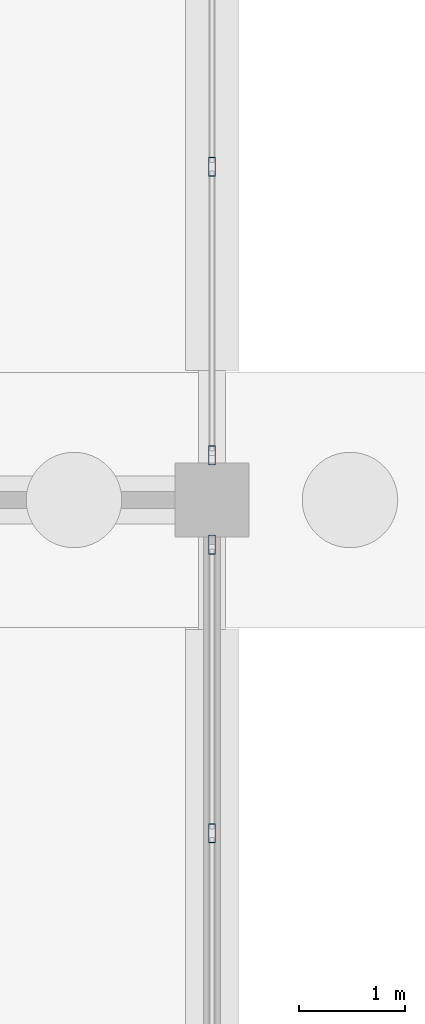
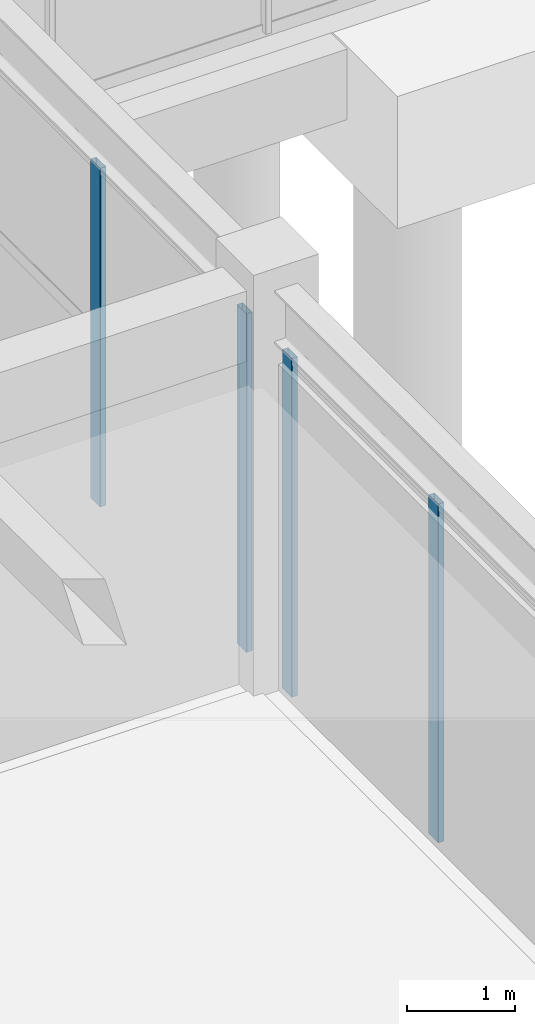
# One storey, part 52 of 147: 4 members, 2 elements without a shape of their own.
"""IFC4 building model written with IfcOpenShell, lengths in metres."""

from ifc_helpers import new_model, si_unit, direction, frame, origin, origin_2d, place, context, subcontext, project, spatial, hollow_rectangle, extrude, material, material_profile, profile_set, type_object, element, aggregate, save


model = new_model("IFC4")

# Units and contexts
model_context = context("Model", 3, precision=1e-05, world=origin(), true_north=direction((0.0, 1.0)))
body_context = subcontext(model_context, "Body", "Model", "MODEL_VIEW")
ifc_project = project(units=[si_unit("LENGTHUNIT", "METRE"), si_unit("AREAUNIT", "SQUARE_METRE"), si_unit("VOLUMEUNIT", "CUBIC_METRE"), si_unit("PLANEANGLEUNIT", "RADIAN"), si_unit("MASSUNIT", "GRAM", prefix="KILO")], contexts=[model_context])

# Site, building, storey
site_placement = place(None, origin())
site = spatial("IfcSite", under=ifc_project, at=site_placement, CompositionType="ELEMENT")
building_placement = place(site_placement, origin())
building = spatial("IfcBuilding", under=site, at=building_placement, Name="Varnabhumi Central Station", CompositionType="ELEMENT")
storey_placement = place(building_placement, origin())
storey = spatial("IfcBuildingStorey", under=building, at=storey_placement, Name="L00", CompositionType="ELEMENT", Elevation=0.0)

# Curtain wall, members
ifc_material = material(Name="Anodised aluminium 6063-T6", Category="aluminium")
curtain_wall_type = type_object("IfcCurtainWallType", Name="CW-PATIO-LOGGIA-L0", PredefinedType="NOTDEFINED", material=ifc_material)
curtain_wall_1_placement = place(storey_placement, origin())
curtain_wall_1 = element("IfcCurtainWall", 1, at=curtain_wall_1_placement, inside=storey, type_object=curtain_wall_type, Name="Curtain Wall CW-NP0E1", PredefinedType="NOTDEFINED")
ifc_material_profile = material_profile(ifc_material, hollow_rectangle(XDim=0.06494140625, YDim=0.179931640625, WallThickness=0.00390625, InnerFilletRadius=0.001953125, OuterFilletRadius=0.006103515625, at=origin_2d()), Name="Anodised aluminium 6063-T6", Category="aluminium")
ifc_profile_set = profile_set([ifc_material_profile], Name="Anodised aluminium 6063-T6")
member_type = type_object("IfcMemberType", Name="CW-MUL-180", PredefinedType="MULLION", material=ifc_profile_set)
member_1_placement = place(storey_placement, frame((48.0, 94.860107421875, 0.0), z_axis=(0.0, 0.0, 1.0), x_axis=(1.0, 0.0, 0.0)))
member_1 = element("IfcMember", 2, at=member_1_placement, type_object=member_type, Name="Curtain Wall Mullion CW-NP0E1-M3", PredefinedType="MULLION", context=body_context, shape_type="SweptSolid", body=[
    extrude(hollow_rectangle(XDim=0.06494140625, YDim=0.179931640625, WallThickness=0.00390625, InnerFilletRadius=0.001953125, OuterFilletRadius=0.006103515625, at=origin_2d()), origin(), (0.0, 0.0, 1.0), 3.840087890625),
])
member_2_placement = place(storey_placement, frame((48.0, 97.580078125, 0.0), z_axis=(0.0, 0.0, 1.0), x_axis=(1.0, 0.0, 0.0)))
member_2 = element("IfcMember", 3, at=member_2_placement, type_object=member_type, Name="Curtain Wall Mullion CW-NP0E1-M4", PredefinedType="MULLION", context=body_context, shape_type="SweptSolid", body=[
    extrude(hollow_rectangle(XDim=0.06494140625, YDim=0.179931640625, WallThickness=0.00390625, InnerFilletRadius=0.001953125, OuterFilletRadius=0.006103515625, at=origin_2d()), origin(), (0.0, 0.0, 1.0), 3.840087890625),
])
aggregate(curtain_wall_1, [member_1, member_2])

curtain_wall_2_placement = place(storey_placement, origin())
curtain_wall_2 = element("IfcCurtainWall", 4, at=curtain_wall_2_placement, inside=storey, type_object=curtain_wall_type, Name="Curtain Wall CW-NP0E2", PredefinedType="NOTDEFINED")
member_3_placement = place(storey_placement, frame((48.0, 98.419921875, 0.0), z_axis=(0.0, 0.0, 1.0), x_axis=(1.0, 0.0, 0.0)))
member_3 = element("IfcMember", 5, at=member_3_placement, type_object=member_type, Name="Curtain Wall Mullion CW-NP0E2-M1", PredefinedType="MULLION", context=body_context, shape_type="SweptSolid", body=[
    extrude(hollow_rectangle(XDim=0.06494140625, YDim=0.179931640625, WallThickness=0.00390625, InnerFilletRadius=0.001953125, OuterFilletRadius=0.006103515625, at=origin_2d()), origin(), (0.0, 0.0, 1.0), 3.840087890625),
])
member_4_placement = place(storey_placement, frame((48.0, 101.139892578125, 0.0), z_axis=(0.0, 0.0, 1.0), x_axis=(1.0, 0.0, 0.0)))
member_4 = element("IfcMember", 6, at=member_4_placement, type_object=member_type, Name="Curtain Wall Mullion CW-NP0E2-M2", PredefinedType="MULLION", context=body_context, shape_type="SweptSolid", body=[
    extrude(hollow_rectangle(XDim=0.06494140625, YDim=0.179931640625, WallThickness=0.00390625, InnerFilletRadius=0.001953125, OuterFilletRadius=0.006103515625, at=origin_2d()), origin(), (0.0, 0.0, 1.0), 3.840087890625),
])
aggregate(curtain_wall_2, [member_3, member_4])

save(model, "model.ifc")
